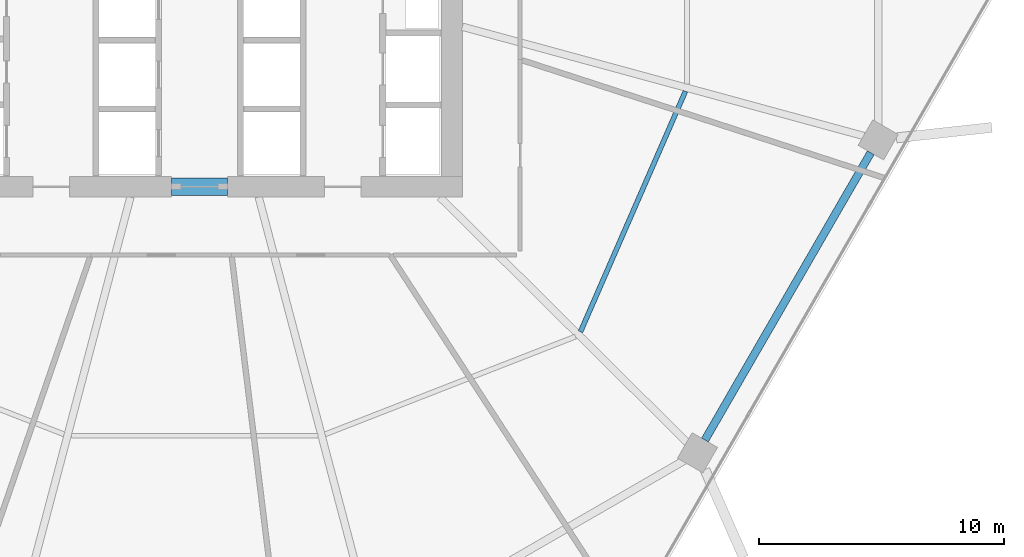
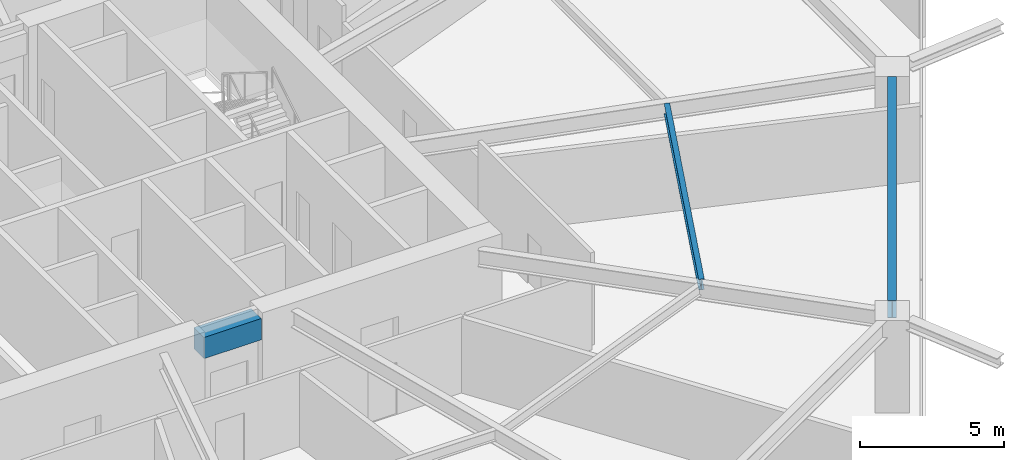
# One storey, part 10 of 25: 3 beams.
"""IFC4 building model written with IfcOpenShell, lengths in metres."""

from ifc_helpers import new_model, si_unit, direction, frame, origin, origin_2d, place, context, subcontext, project, spatial, rectangle, i_section, extrude, material, material_profile, profile_set, type_object, element, save


model = new_model("IFC4")

# Units and contexts
model_context = context("Model", 3, precision=1e-05, world=origin(), true_north=direction((0.0, 1.0)))
body_context = subcontext(model_context, "Body", "Model", "MODEL_VIEW")
ifc_project = project(units=[si_unit("LENGTHUNIT", "METRE"), si_unit("AREAUNIT", "SQUARE_METRE"), si_unit("VOLUMEUNIT", "CUBIC_METRE"), si_unit("PLANEANGLEUNIT", "RADIAN"), si_unit("MASSUNIT", "GRAM", prefix="KILO")], contexts=[model_context])

# Site, building, storey
site_placement = place(None, origin())
site = spatial("IfcSite", under=ifc_project, at=site_placement, CompositionType="ELEMENT")
building_placement = place(site_placement, origin())
building = spatial("IfcBuilding", under=site, at=building_placement, Name="Zuhravey Tower", CompositionType="ELEMENT")
storey_placement = place(building_placement, frame((0.0, 0.0, 20.39990234375)))
storey = spatial("IfcBuildingStorey", under=building, at=storey_placement, Name="L05", CompositionType="ELEMENT", Elevation=20.39990234375)

# Beams
ifc_material_1 = material(Name="Concrete C60/75", Category="concrete")
ifc_material_profile_1 = material_profile(ifc_material_1, rectangle(XDim=0.699951171875, YDim=0.89990234375, at=origin_2d()), Name="RC-700x900")
ifc_profile_set_1 = profile_set([ifc_material_profile_1], Name="Concrete C60/75")
beam_type_1 = type_object("IfcBeamType", Name="Core Coupling Beam RC700x900", PredefinedType="LINTEL", material=ifc_profile_set_1)
beam_1_placement = place(storey_placement, frame((35.052001953125, 22.5, 3.47021484375), z_axis=(1.0, 0.0, 0.0), x_axis=(0.0, 1.0, 0.0)))
element("IfcBeam", 1, at=beam_1_placement, inside=storey, type_object=beam_type_1, Name="L05 CB1 BM-L05-CB-S", PredefinedType="LINTEL", context=body_context, shape_type="SweptSolid", body=[
    extrude(rectangle(XDim=0.699951171875, YDim=0.89990234375, at=origin_2d()), origin(), (0.0, 0.0, 1.0), 2.2958984375),
])
ifc_material_2 = material(Name="Steel SM355", Category="steel")
ifc_material_profile_2 = material_profile(ifc_material_2, i_section(OverallWidth=0.320068359375, OverallDepth=0.75, WebThickness=0.013916015625, FlangeThickness=0.02490234375, at=origin_2d()), Name="H-750x320x14x25")
ifc_profile_set_2 = profile_set([ifc_material_profile_2], Name="Steel SM355")
beam_type_2 = type_object("IfcBeamType", Name="Perimeter Ring Beam H750x320", PredefinedType="BEAM", material=ifc_profile_set_2)
beam_2_placement = place(storey_placement, frame((56.820556640625, 12.165283203125, 3.545166015625), z_axis=(0.499999877243, 0.866025474658, 0.0), x_axis=(-0.866025474658, 0.499999877243, 0.0)))
element("IfcBeam", 2, at=beam_2_placement, inside=storey, type_object=beam_type_2, Name="L05 PB1 BM-L05-PB-11", PredefinedType="BEAM", context=body_context, shape_type="SweptSolid", body=[
    extrude(i_section(OverallWidth=0.320068359375, OverallDepth=0.75, WebThickness=0.013916015625, FlangeThickness=0.02490234375, at=origin_2d()), origin(), (0.0, 0.0, 1.0), 13.5341796875),
])
ifc_material_profile_3 = material_profile(ifc_material_2, i_section(OverallWidth=0.199951171875, OverallDepth=0.449951171875, WebThickness=0.009033203125, FlangeThickness=0.013916015625, at=origin_2d()), Name="H-450x200x9x14")
ifc_profile_set_3 = profile_set([ifc_material_profile_3], Name="Steel SM355")
beam_type_3 = type_object("IfcBeamType", Name="Secondary Floor Joist H450x200", PredefinedType="JOIST", material=ifc_profile_set_3)
beam_3_placement = place(storey_placement, frame((51.7451171875, 16.58154296875, 3.695068359375), z_axis=(0.399923551578, 0.916548500022, 0.0), x_axis=(-0.916548500022, 0.399923551578, 0.0)))
element("IfcBeam", 3, at=beam_3_placement, inside=storey, type_object=beam_type_3, Name="L05 SJ1 BM-L05-SJ-11-1", PredefinedType="JOIST", context=body_context, shape_type="SweptSolid", body=[
    extrude(i_section(OverallWidth=0.199951171875, OverallDepth=0.449951171875, WebThickness=0.009033203125, FlangeThickness=0.013916015625, at=origin_2d()), origin(), (0.0, 0.0, 1.0), 10.70263671875),
])

save(model, "model.ifc")
